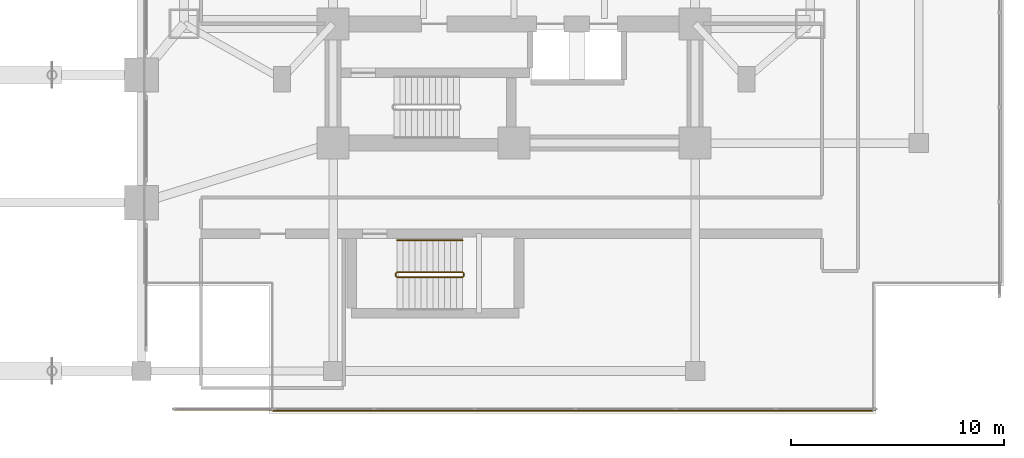
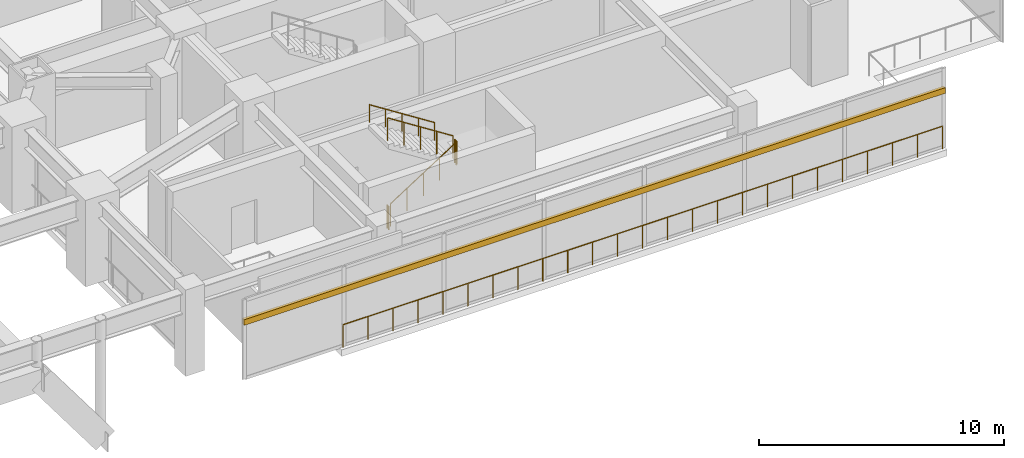
# One storey, part 26 of 30: 6 railings, 1 shading device.
"""IFC4 building model written with IfcOpenShell, lengths in metres."""

import ifcopenshell
import ifcopenshell.guid

model = None  # the IFC model being written
_history = None  # IfcOwnerHistory: only IFC2X3 demands one
_inside = {}  # id of a spatial element -> (the spatial element, [elements in it])
_under = {}  # id of a project, library or spatial element -> (it, [spatial elements below it])
_declared = {}  # id of a project -> (the project, [libraries it declares])
_typed = {}  # id of a type object -> (the type object, [elements of that type])
_made_of = {}  # id of a material, layer set ... -> (it, [elements and type objects made of it])


def new_model(schema):
    """Start an empty IFC model of exactly this schema.

    Asked for "IFC4X3", IfcOpenShell would pick the latest addendum, in which some entities
    have other attributes; the version numbers below select the first issue.
    IFC2X3 requires an IfcOwnerHistory on every rooted entity: one is made here for all.
    """
    global model, _history
    if schema == "IFC4X3":
        model = ifcopenshell.file(schema_version=(4, 3, 0, 0))
    else:
        model = ifcopenshell.file(schema=schema)
    _inside.clear()
    _under.clear()
    _declared.clear()
    _typed.clear()
    _made_of.clear()
    _history = None
    if model.schema == "IFC2X3":
        org = make("IfcOrganization", Name="unknown")
        user = make(
            "IfcPersonAndOrganization",
            ThePerson=make("IfcPerson", FamilyName="unknown"),
            TheOrganization=org,
        )
        app = make(
            "IfcApplication",
            ApplicationDeveloper=org,
            Version="unknown",
            ApplicationFullName="unknown",
            ApplicationIdentifier="unknown",
        )
        _history = make(
            "IfcOwnerHistory",
            OwningUser=user,
            OwningApplication=app,
            ChangeAction="ADDED",
            CreationDate=0,
        )
    return model


def make(cls, **values):
    """One entity of the class cls with the attributes given. An attribute that is None is left unset."""
    return model.create_entity(
        cls, **{name: value for name, value in values.items() if value is not None}
    )


def rooted(cls, **values):
    """An entity with a GlobalId (a new one), such as an element, a storey or a relation."""
    return make(cls, GlobalId=ifcopenshell.guid.new(), OwnerHistory=_history, **values)


def si_unit(unit_type, name, prefix=None):
    """IfcSIUnit, for example si_unit("LENGTHUNIT", "METRE", prefix="MILLI")."""
    return make("IfcSIUnit", UnitType=unit_type, Prefix=prefix, Name=name)


def assignment(units):
    """IfcUnitAssignment: the units of a project."""
    return None if units is None else make("IfcUnitAssignment", Units=units)


def point(xyz):
    """IfcCartesianPoint."""
    return None if xyz is None else make("IfcCartesianPoint", Coordinates=xyz)


def direction(xyz):
    """IfcDirection."""
    return None if xyz is None else make("IfcDirection", DirectionRatios=xyz)


def frame(location, z_axis=None, x_axis=None):
    """IfcAxis2Placement3D, a coordinate frame: its origin and axes. An axis left out is left unset."""
    return make(
        "IfcAxis2Placement3D",
        Location=point(location),
        Axis=direction(z_axis),
        RefDirection=direction(x_axis),
    )


def frame_2d(location, x_axis=None):
    """IfcAxis2Placement2D, a coordinate frame in the plane: its origin and x axis."""
    return make(
        "IfcAxis2Placement2D", Location=point(location), RefDirection=direction(x_axis)
    )


def origin():
    """The frame at (0, 0, 0) with its axes left unset."""
    return frame((0.0, 0.0, 0.0))


def origin_2d():
    """The frame at (0, 0) in the plane with its x axis left unset."""
    return frame_2d((0.0, 0.0))


def place(relative_to, where):
    """IfcLocalPlacement: puts the frame where relative to a parent placement (None: the world)."""
    return make(
        "IfcLocalPlacement", PlacementRelTo=relative_to, RelativePlacement=where
    )


def context(
    kind, dimensions, precision=None, world=None, true_north=None, identifier=None
):
    """IfcGeometricRepresentationContext, for example the 3D "Model" context."""
    return make(
        "IfcGeometricRepresentationContext",
        ContextIdentifier=identifier,
        ContextType=kind,
        CoordinateSpaceDimension=dimensions,
        Precision=precision,
        WorldCoordinateSystem=world,
        TrueNorth=true_north,
    )


def subcontext(parent, identifier, kind, view, scale=None):
    """IfcGeometricRepresentationSubContext, for example "Body" below "Model"."""
    return make(
        "IfcGeometricRepresentationSubContext",
        ContextIdentifier=identifier,
        ContextType=kind,
        ParentContext=parent,
        TargetScale=scale,
        TargetView=view,
    )


def project(units=None, contexts=None):
    """IfcProject with its units and contexts."""
    return rooted(
        "IfcProject",
        Name="project",
        RepresentationContexts=contexts,
        UnitsInContext=assignment(units),
    )


def spatial(cls, under=None, at=None, **own):
    """A site, building, storey or space (cls), placed at a placement, below another one or the project."""
    s = rooted(cls, ObjectPlacement=at, **own)
    if under is not None:
        _under.setdefault(under.id(), (under, []))[1].append(s)
    return s


def profile(cls, at=None, kind="AREA", **sizes):
    """A parametric profile (cls). Its sizes go by their IFC names, for example OverallWidth=200.0."""
    return make(cls, ProfileType=kind, Position=at, **sizes)


def rectangle(**sizes):
    """IfcRectangleProfileDef."""
    return profile("IfcRectangleProfileDef", **sizes)


def circle(**sizes):
    """IfcCircleProfileDef."""
    return profile("IfcCircleProfileDef", **sizes)


def extrude(swept, where, along, depth):
    """IfcExtrudedAreaSolid: the profile swept, set in the frame where, extruded along a direction by depth."""
    return make(
        "IfcExtrudedAreaSolid",
        SweptArea=swept,
        Position=where,
        ExtrudedDirection=direction(along),
        Depth=depth,
    )


def shape(context_of_items, identifier, shape_type, items):
    """IfcShapeRepresentation: the items that make up one representation, for example the "Body"."""
    return make(
        "IfcShapeRepresentation",
        ContextOfItems=context_of_items,
        RepresentationIdentifier=identifier,
        RepresentationType=shape_type,
        Items=items,
    )


def material(Name=None, Category=None):
    """IfcMaterial."""
    return make("IfcMaterial", Name=Name, Category=Category)


def material_profile(
    of_material, cross_section, Name=None, Category=None, Priority=None
):
    """IfcMaterialProfile: a cross section and its material."""
    return make(
        "IfcMaterialProfile",
        Name=Name,
        Material=of_material,
        Profile=cross_section,
        Priority=Priority,
        Category=Category,
    )


def profile_set(profiles, Name=None, composite=None):
    """IfcMaterialProfileSet."""
    return make(
        "IfcMaterialProfileSet",
        Name=Name,
        MaterialProfiles=profiles,
        CompositeProfile=composite,
    )


def made_of(thing, what):
    """Note that an element or type object is made of a material, layer set ...; save() writes the relation."""
    if what is not None:
        _made_of.setdefault(what.id(), (what, []))[1].append(thing)
    return thing


def type_object(cls, material=None, **own):
    """A type object (cls), such as IfcWallType, which elements share."""
    return made_of(rooted(cls, **own), material)


def element(
    cls,
    number,
    at=None,
    inside=None,
    cuts=None,
    type_object=None,
    material=None,
    context=None,
    identifier="Body",
    shape_type=None,
    held_by="IfcProductDefinitionShape",
    body=None,
    shapes=None,
    **own,
):
    """One element of the class cls, such as IfcWall. Its Tag is "e" and its number.

    at: its placement. inside: the storey or other place that contains it. cuts: it is an
    opening in that element (IfcRelVoidsElement). A single representation is given by context,
    identifier, shape_type and body (its items); several are given by shapes. held_by: the class
    of the entity that holds the representations. save() writes the other relations.
    """
    e = rooted(cls, Tag="e%d" % number, ObjectPlacement=at, **own)
    if body is not None:
        shapes = [shape(context, identifier, shape_type, body)]
    if shapes is not None:
        e.Representation = make(held_by, Representations=shapes)
    if inside is not None:
        _inside.setdefault(inside.id(), (inside, []))[1].append(e)
    if cuts is not None:
        rooted(
            "IfcRelVoidsElement", RelatingBuildingElement=cuts, RelatedOpeningElement=e
        )
    if type_object is not None:
        _typed.setdefault(type_object.id(), (type_object, []))[1].append(e)
    return made_of(e, material)


def aggregate(whole, parts):
    """IfcRelAggregates: a whole, such as a stair, and the parts it consists of."""
    return rooted("IfcRelAggregates", RelatingObject=whole, RelatedObjects=parts)


def save(model, path):
    """Write the relations noted so far, then the file.

    IfcRelAggregates (storeys below a building ...), IfcRelContainedInSpatialStructure (elements
    in a storey), IfcRelDefinesByType, IfcRelAssociatesMaterial and IfcRelDeclares: one each for
    every whole, place, type object, material and project.
    """
    for whole, parts in _under.values():
        aggregate(whole, parts)
    for where, things in _inside.values():
        rooted(
            "IfcRelContainedInSpatialStructure",
            RelatedElements=things,
            RelatingStructure=where,
        )
    for kind, things in _typed.values():
        rooted("IfcRelDefinesByType", RelatedObjects=things, RelatingType=kind)
    for what, things in _made_of.values():
        rooted("IfcRelAssociatesMaterial", RelatedObjects=things, RelatingMaterial=what)
    for by, libraries in _declared.values():
        rooted("IfcRelDeclares", RelatingContext=by, RelatedDefinitions=libraries)
    model.write(path)


model = new_model("IFC4")

# Units and contexts
model_context = context("Model", 3, precision=1e-05, world=origin(), true_north=direction((0.0, 1.0)))
body_context = subcontext(model_context, "Body", "Model", "MODEL_VIEW")
ifc_project = project(units=[si_unit("LENGTHUNIT", "METRE"), si_unit("AREAUNIT", "SQUARE_METRE"), si_unit("VOLUMEUNIT", "CUBIC_METRE"), si_unit("PLANEANGLEUNIT", "RADIAN"), si_unit("MASSUNIT", "GRAM", prefix="KILO")], contexts=[model_context])

# Site, building, storey
site_placement = place(None, origin())
site = spatial("IfcSite", under=ifc_project, at=site_placement, CompositionType="ELEMENT")
building_placement = place(site_placement, origin())
building = spatial("IfcBuilding", under=site, at=building_placement, Name="Mirazonda Arch Towers", CompositionType="ELEMENT")
storey_placement = place(building_placement, frame((0.0, 0.0, 9.5)))
storey = spatial("IfcBuildingStorey", under=building, at=storey_placement, Name="L02", CompositionType="ELEMENT", Elevation=9.5)

# Shading device
ifc_material_1 = material(Name="Kiln-Fired Architectural Terracotta", Category="masonry")
ifc_material_profile = material_profile(ifc_material_1, rectangle(XDim=0.139892578125, YDim=0.280029296875, at=origin_2d()), Name="TERRA-BAG-140x280")
ifc_profile_set = profile_set([ifc_material_profile], Name="Kiln-Fired Architectural Terracotta")
shading_device_type = type_object("IfcShadingDeviceType", Name="BAGUETTE-3", PredefinedType="USERDEFINED", material=ifc_profile_set)
shading_device_placement = place(storey_placement, frame((93.5, 2.719970703125, 2.851318359375), z_axis=(-1.0, 0.0, 0.0), x_axis=(0.0, -1.0, 0.0)))
element("IfcShadingDevice", 1, at=shading_device_placement, inside=storey, type_object=shading_device_type, Name="L02 Glazed Terracotta Sun-Screen Baguette CW-L02-ES", ObjectType="BAGUETTE", PredefinedType="USERDEFINED", context=body_context, shape_type="SweptSolid", body=[
    extrude(rectangle(XDim=0.139892578125, YDim=0.280029296875, at=origin_2d()), origin(), (0.0, 0.0, 1.0), 33.0),
])

# Railings
ifc_material_2 = material(Name="Architectural Brushed Steel S355", Category="steel")
railing_type_1 = type_object("IfcRailingType", Name="GUARD-EXT-1150", PredefinedType="GUARDRAIL", material=ifc_material_2)
railing_1_placement = place(storey_placement, frame((65.139892578125, 2.639892578125, 0.0)))
element("IfcRailing", 2, at=railing_1_placement, inside=storey, type_object=railing_type_1, Name="L02 L02 East Podium Perimeter Guard 01", PredefinedType="GUARDRAIL", context=body_context, shape_type="SweptSolid", body=[
    extrude(circle(Radius=0.02392578125, at=origin_2d()), frame((0.0, 0.0, 1.1259765625), z_axis=(1.0, 0.0, 0.0), x_axis=(0.0, 1.0, 0.0)), (0.0, 0.0, 1.0), 28.22021484375),
    extrude(circle(Radius=0.02099609375, at=origin_2d()), origin(), (0.0, 0.0, 1.0), 1.101806640625),
    extrude(circle(Radius=0.02099609375, at=origin_2d()), frame((1.17578125, 0.0, 0.0)), (0.0, 0.0, 1.0), 1.101806640625),
    extrude(circle(Radius=0.02099609375, at=origin_2d()), frame((2.3515625, 0.0, 0.0)), (0.0, 0.0, 1.0), 1.101806640625),
    extrude(circle(Radius=0.02099609375, at=origin_2d()), frame((3.527587890625, 0.0, 0.0)), (0.0, 0.0, 1.0), 1.101806640625),
    extrude(circle(Radius=0.02099609375, at=origin_2d()), frame((4.703369140625, 0.0, 0.0)), (0.0, 0.0, 1.0), 1.101806640625),
    extrude(circle(Radius=0.02099609375, at=origin_2d()), frame((5.879150390625, 0.0, 0.0)), (0.0, 0.0, 1.0), 1.101806640625),
    extrude(circle(Radius=0.02099609375, at=origin_2d()), frame((7.05517578125, 0.0, 0.0)), (0.0, 0.0, 1.0), 1.101806640625),
    extrude(circle(Radius=0.02099609375, at=origin_2d()), frame((8.23095703125, 0.0, 0.0)), (0.0, 0.0, 1.0), 1.101806640625),
    extrude(circle(Radius=0.02099609375, at=origin_2d()), frame((9.40673828125, 0.0, 0.0)), (0.0, 0.0, 1.0), 1.101806640625),
    extrude(circle(Radius=0.02099609375, at=origin_2d()), frame((10.58251953125, 0.0, 0.0)), (0.0, 0.0, 1.0), 1.101806640625),
    extrude(circle(Radius=0.02099609375, at=origin_2d()), frame((11.75830078125, 0.0, 0.0)), (0.0, 0.0, 1.0), 1.101806640625),
    extrude(circle(Radius=0.02099609375, at=origin_2d()), frame((12.934326171875, 0.0, 0.0)), (0.0, 0.0, 1.0), 1.101806640625),
    extrude(circle(Radius=0.02099609375, at=origin_2d()), frame((14.110107421875, 0.0, 0.0)), (0.0, 0.0, 1.0), 1.101806640625),
    extrude(circle(Radius=0.02099609375, at=origin_2d()), frame((15.285888671875, 0.0, 0.0)), (0.0, 0.0, 1.0), 1.101806640625),
    extrude(circle(Radius=0.02099609375, at=origin_2d()), frame((16.4619140625, 0.0, 0.0)), (0.0, 0.0, 1.0), 1.101806640625),
    extrude(circle(Radius=0.02099609375, at=origin_2d()), frame((17.6376953125, 0.0, 0.0)), (0.0, 0.0, 1.0), 1.101806640625),
    extrude(circle(Radius=0.02099609375, at=origin_2d()), frame((18.8134765625, 0.0, 0.0)), (0.0, 0.0, 1.0), 1.101806640625),
    extrude(circle(Radius=0.02099609375, at=origin_2d()), frame((19.9892578125, 0.0, 0.0)), (0.0, 0.0, 1.0), 1.101806640625),
    extrude(circle(Radius=0.02099609375, at=origin_2d()), frame((21.1650390625, 0.0, 0.0)), (0.0, 0.0, 1.0), 1.101806640625),
    extrude(circle(Radius=0.02099609375, at=origin_2d()), frame((22.341064453125, 0.0, 0.0)), (0.0, 0.0, 1.0), 1.101806640625),
    extrude(circle(Radius=0.02099609375, at=origin_2d()), frame((23.516845703125, 0.0, 0.0)), (0.0, 0.0, 1.0), 1.101806640625),
    extrude(circle(Radius=0.02099609375, at=origin_2d()), frame((24.692626953125, 0.0, 0.0)), (0.0, 0.0, 1.0), 1.101806640625),
    extrude(circle(Radius=0.02099609375, at=origin_2d()), frame((25.86865234375, 0.0, 0.0)), (0.0, 0.0, 1.0), 1.101806640625),
    extrude(circle(Radius=0.02099609375, at=origin_2d()), frame((27.04443359375, 0.0, 0.0)), (0.0, 0.0, 1.0), 1.101806640625),
    extrude(circle(Radius=0.02099609375, at=origin_2d()), frame((28.22021484375, 0.0, 0.0)), (0.0, 0.0, 1.0), 1.101806640625),
])
railing_type_2 = type_object("IfcRailingType", Name="GUARD-STAIR-1120", PredefinedType="GUARDRAIL", material=ifc_material_2)
railing_2_placement = place(storey_placement, frame((71.0, 8.89990234375, 0.17919921875)))
element("IfcRailing", 3, at=railing_2_placement, inside=storey, type_object=railing_type_2, Name="L02 ST-POD2 stair guard 1", PredefinedType="GUARDRAIL", context=body_context, shape_type="SweptSolid", body=[
    extrude(circle(Radius=0.02392578125, at=origin_2d()), frame((0.0, 0.0, 1.1259765625), z_axis=(0.842339298311, 0.0, 0.538947591627), x_axis=(0.0, 1.0, 0.0)), (0.0, 0.0, 1.0), 3.656494140625),
    extrude(circle(Radius=0.02099609375, at=origin_2d()), origin(), (0.0, 0.0, 1.0), 1.101806640625),
    extrude(circle(Radius=0.02099609375, at=origin_2d()), frame((0.77001953125, 0.0, 0.49267578125)), (0.0, 0.0, 1.0), 1.101806640625),
    extrude(circle(Radius=0.02099609375, at=origin_2d()), frame((1.5400390625, 0.0, 0.9853515625)), (0.0, 0.0, 1.0), 1.101806640625),
    extrude(circle(Radius=0.02099609375, at=origin_2d()), frame((2.31005859375, 0.0, 1.47802734375)), (0.0, 0.0, 1.0), 1.101806640625),
    extrude(circle(Radius=0.02099609375, at=origin_2d()), frame((3.080078125, 0.0, 1.970703125)), (0.0, 0.0, 1.0), 1.101806640625),
])
railing_3_placement = place(storey_placement, frame((74.1298828125, 8.949951171875, 2.14990234375)))
element("IfcRailing", 4, at=railing_3_placement, inside=storey, type_object=railing_type_2, Name="L02 ST-POD2 stair guard 2", PredefinedType="GUARDRAIL", context=body_context, shape_type="SweptSolid", body=[
    extrude(circle(Radius=0.02392578125, at=origin_2d()), frame((0.0, 0.0, 1.1259765625), z_axis=(0.0, 1.0, 0.0), x_axis=(-1.0, 0.0, 0.0)), (0.0, 0.0, 1.0), 0.14013671875),
    extrude(circle(Radius=0.02099609375, at=origin_2d()), origin(), (0.0, 0.0, 1.0), 1.101806640625),
    extrude(circle(Radius=0.02099609375, at=origin_2d()), frame((0.0, 0.14013671875, 0.0)), (0.0, 0.0, 1.0), 1.101806640625),
])
railing_4_placement = place(storey_placement, frame((74.080078125, 9.139892578125, 2.3291015625)))
element("IfcRailing", 5, at=railing_4_placement, inside=storey, type_object=railing_type_2, Name="L02 ST-POD2 stair guard 3", PredefinedType="GUARDRAIL", context=body_context, shape_type="SweptSolid", body=[
    extrude(circle(Radius=0.02392578125, at=origin_2d()), frame((0.0, 0.0, 1.1259765625), z_axis=(-0.842308987159, 0.0, 0.53899496301), x_axis=(0.0, -1.0, 0.0)), (0.0, 0.0, 1.0), 3.65673828125),
    extrude(circle(Radius=0.02099609375, at=origin_2d()), origin(), (0.0, 0.0, 1.0), 1.101806640625),
    extrude(circle(Radius=0.02099609375, at=origin_2d()), frame((-0.77001953125, 0.0, 0.49267578125)), (0.0, 0.0, 1.0), 1.101806640625),
    extrude(circle(Radius=0.02099609375, at=origin_2d()), frame((-1.5400390625, 0.0, 0.9853515625)), (0.0, 0.0, 1.0), 1.101806640625),
    extrude(circle(Radius=0.02099609375, at=origin_2d()), frame((-2.31005859375, 0.0, 1.478271484375)), (0.0, 0.0, 1.0), 1.101806640625),
    extrude(circle(Radius=0.02099609375, at=origin_2d()), frame((-3.080078125, 0.0, 1.970947265625)), (0.0, 0.0, 1.0), 1.101806640625),
])
railing_5_placement = place(storey_placement, frame((70.949951171875, 8.949951171875, 0.0)))
element("IfcRailing", 6, at=railing_5_placement, inside=storey, type_object=railing_type_2, Name="L02 ST-POD2 stair guard 4", PredefinedType="GUARDRAIL", context=body_context, shape_type="SweptSolid", body=[
    extrude(circle(Radius=0.02392578125, at=origin_2d()), frame((0.0, 0.0, 1.1259765625), z_axis=(0.0, 1.0, 0.0), x_axis=(-1.0, 0.0, 0.0)), (0.0, 0.0, 1.0), 0.14013671875),
    extrude(circle(Radius=0.02099609375, at=origin_2d()), origin(), (0.0, 0.0, 1.0), 1.101806640625),
    extrude(circle(Radius=0.02099609375, at=origin_2d()), frame((0.0, 0.14013671875, 0.0)), (0.0, 0.0, 1.0), 1.101806640625),
])
railing_type_3 = type_object("IfcRailingType", Name="HANDRAIL-915", PredefinedType="HANDRAIL", material=ifc_material_2)
railing_6_placement = place(storey_placement, frame((74.080078125, 10.639892578125, 2.3291015625)))
element("IfcRailing", 7, at=railing_6_placement, inside=storey, type_object=railing_type_3, Name="L02 ST-POD2 stair handrail 2", PredefinedType="HANDRAIL", context=body_context, shape_type="SweptSolid", body=[
    extrude(circle(Radius=0.02392578125, at=origin_2d()), frame((0.0, 0.0, 0.8759765625), z_axis=(-0.842308987159, 0.0, 0.53899496301), x_axis=(0.0, -1.0, 0.0)), (0.0, 0.0, 1.0), 3.65673828125),
    extrude(circle(Radius=0.02099609375, at=origin_2d()), origin(), (0.0, 0.0, 1.0), 0.851806640625),
    extrude(circle(Radius=0.02099609375, at=origin_2d()), frame((-0.77001953125, 0.0, 0.49267578125)), (0.0, 0.0, 1.0), 0.851806640625),
    extrude(circle(Radius=0.02099609375, at=origin_2d()), frame((-1.5400390625, 0.0, 0.9853515625)), (0.0, 0.0, 1.0), 0.851806640625),
    extrude(circle(Radius=0.02099609375, at=origin_2d()), frame((-2.31005859375, 0.0, 1.478271484375)), (0.0, 0.0, 1.0), 0.851806640625),
    extrude(circle(Radius=0.02099609375, at=origin_2d()), frame((-3.080078125, 0.0, 1.970947265625)), (0.0, 0.0, 1.0), 0.851806640625),
])

save(model, "model.ifc")
